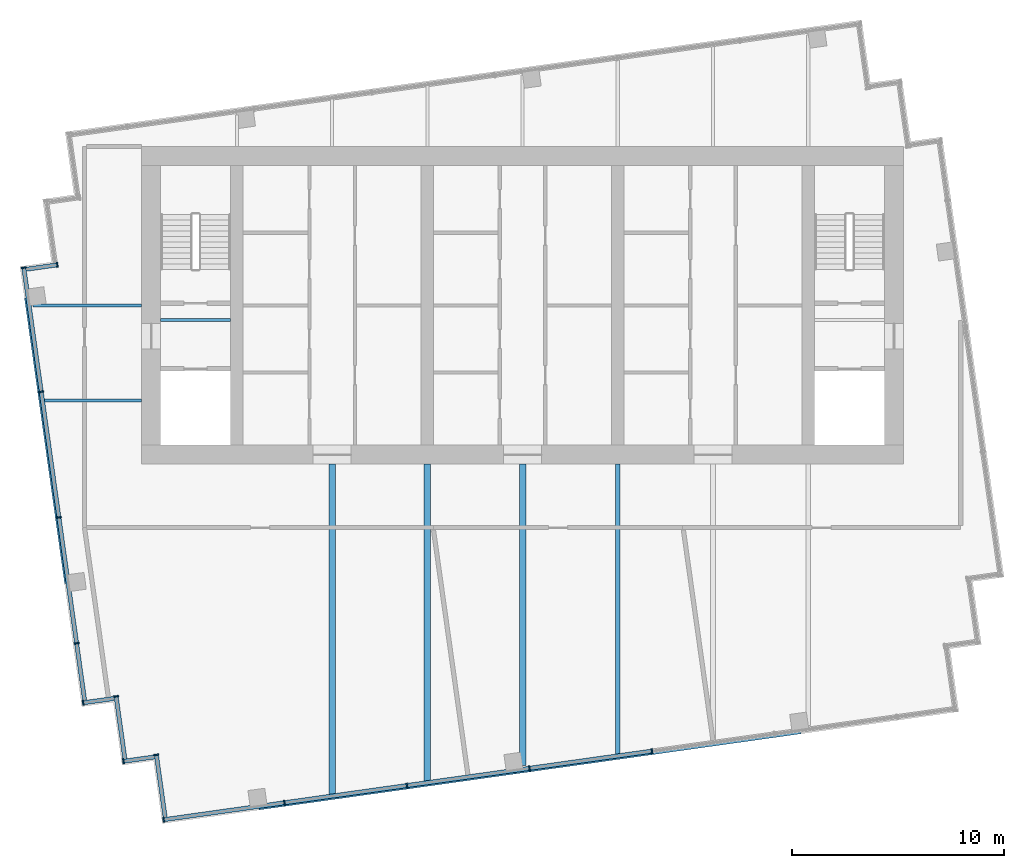
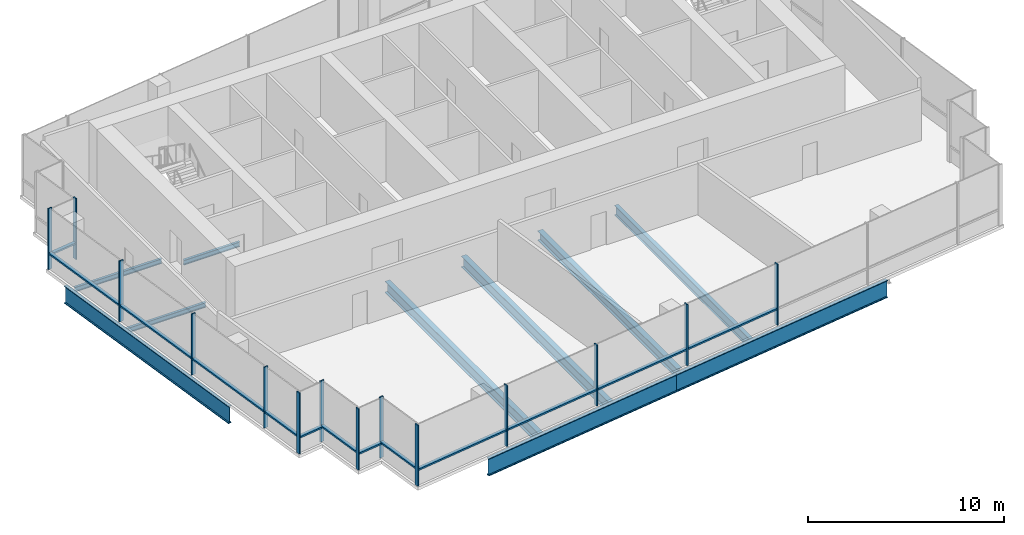
# One storey, part 2 of 10: 27 members, 10 beams, 7 elements without a shape of their own.
"""IFC4 building model written with IfcOpenShell, lengths in metres."""

from ifc_helpers import new_model, si_unit, direction, frame, origin, origin_2d, place, context, subcontext, project, spatial, rectangle, i_section, extrude, material, layer, layer_set, material_profile, profile_set, type_object, element, aggregate, save


model = new_model("IFC4")

# Units and contexts
model_context = context("Model", 3, precision=1e-05, world=origin(), true_north=direction((0.0, 1.0)))
body_context = subcontext(model_context, "Body", "Model", "MODEL_VIEW")
ifc_project = project(units=[si_unit("LENGTHUNIT", "METRE"), si_unit("AREAUNIT", "SQUARE_METRE"), si_unit("VOLUMEUNIT", "CUBIC_METRE"), si_unit("PLANEANGLEUNIT", "RADIAN"), si_unit("MASSUNIT", "GRAM", prefix="KILO")], contexts=[model_context])

# Site, building, storey
site_placement = place(None, origin())
site = spatial("IfcSite", under=ifc_project, at=site_placement, CompositionType="ELEMENT")
building_placement = place(site_placement, origin())
building = spatial("IfcBuilding", under=site, at=building_placement, Name="Rattan Terrace Tower", CompositionType="ELEMENT")
storey_placement = place(building_placement, frame((0.0, 0.0, 308.300048828125)))
storey = spatial("IfcBuildingStorey", under=building, at=storey_placement, Name="C05", CompositionType="ELEMENT", Elevation=308.300048828125)

# Beams
ifc_material_1 = material(Name="Steel S460", Category="steel")
ifc_material_profile_1 = material_profile(ifc_material_1, i_section(OverallWidth=0.179931640625, OverallDepth=1.10009765625, WebThickness=0.01611328125, FlangeThickness=0.050048828125, at=origin_2d()), Name="PG 1100x180-16-50")
ifc_profile_set_1 = profile_set([ifc_material_profile_1], Name="Steel S460")
beam_type_1 = type_object("IfcBeamType", Name="Frame edge girder PG 1100x180-16-50", PredefinedType="SPANDREL", material=ifc_profile_set_1)
beam_1_placement = place(storey_placement, frame((-12.45703125, -23.7509765625, -0.75), z_axis=(0.990268332234, 0.139171226104, 0.0), x_axis=(-0.139171226104, 0.990268332234, 0.0)))
element("IfcBeam", 1, at=beam_1_placement, inside=storey, type_object=beam_type_1, Name="gdr-C05-001", PredefinedType="SPANDREL", context=body_context, shape_type="SweptSolid", body=[
    extrude(i_section(OverallWidth=0.179931640625, OverallDepth=1.10009765625, WebThickness=0.01611328125, FlangeThickness=0.050048828125, at=origin_2d()), origin(), (0.0, 0.0, 1.0), 12.21484375),
])
beam_2_placement = place(storey_placement, frame((-0.361083984375, -22.051025390625, -0.75), z_axis=(0.990271390556, 0.139149462974, 0.0), x_axis=(-0.139149462974, 0.990271390556, 0.0)))
element("IfcBeam", 2, at=beam_2_placement, inside=storey, type_object=beam_type_1, Name="gdr-C05-002", PredefinedType="SPANDREL", context=body_context, shape_type="SweptSolid", body=[
    extrude(i_section(OverallWidth=0.179931640625, OverallDepth=1.10009765625, WebThickness=0.01611328125, FlangeThickness=0.050048828125, at=origin_2d()), origin(), (0.0, 0.0, 1.0), 13.632568359375),
])
beam_3_placement = place(storey_placement, frame((-23.448974609375, 0.361083984375, -0.75), z_axis=(0.139219709116, -0.990261517274, 0.0), x_axis=(0.990261517274, 0.139219709116, 0.0)))
element("IfcBeam", 3, at=beam_3_placement, inside=storey, type_object=beam_type_1, Name="gdr-C05-003", PredefinedType="SPANDREL", context=body_context, shape_type="SweptSolid", body=[
    extrude(i_section(OverallWidth=0.179931640625, OverallDepth=1.10009765625, WebThickness=0.01611328125, FlangeThickness=0.050048828125, at=origin_2d()), origin(), (0.0, 0.0, 1.0), 13.6328125),
])
ifc_material_2 = material(Name="Steel S355", Category="steel")
ifc_material_profile_2 = material_profile(ifc_material_2, i_section(OverallWidth=0.300048828125, OverallDepth=0.60009765625, WebThickness=0.015380859375, FlangeThickness=0.030029296875, FilletRadius=0.027099609375, at=origin_2d()), Name="HE 600 B")
ifc_profile_set_2 = profile_set([ifc_material_profile_2], Name="Steel S355")
beam_type_2 = type_object("IfcBeamType", Name="Frame floor beam HE 600 B", PredefinedType="JOIST", material=ifc_profile_set_2)
beam_4_placement = place(storey_placement, frame((0.0, -21.743896484375, -0.5), z_axis=(0.0, 1.0, 0.0), x_axis=(-1.0, 0.0, 0.0)))
element("IfcBeam", 4, at=beam_4_placement, inside=storey, type_object=beam_type_2, Name="bm-C05-005", PredefinedType="JOIST", context=body_context, shape_type="SweptSolid", body=[
    extrude(i_section(OverallWidth=0.300048828125, OverallDepth=0.60009765625, WebThickness=0.015380859375, FlangeThickness=0.030029296875, FilletRadius=0.027099609375, at=origin_2d()), origin(), (0.0, 0.0, 1.0), 14.243896484375),
])
ifc_material_3 = material(Name="Steel S355", Category="steel")
ifc_material_profile_3 = material_profile(ifc_material_3, i_section(OverallWidth=0.300048828125, OverallDepth=0.699951171875, WebThickness=0.01708984375, FlangeThickness=0.031982421875, FilletRadius=0.027099609375, at=origin_2d()), Name="HE 700 B")
ifc_profile_set_3 = profile_set([ifc_material_profile_3], Name="Steel S355")
beam_type_3 = type_object("IfcBeamType", Name="Frame floor beam HE 700 B", PredefinedType="JOIST", material=ifc_profile_set_3)
beam_5_placement = place(storey_placement, frame((-9.0, -23.174072265625, -0.550048828125), z_axis=(0.0, 1.0, 0.0), x_axis=(-1.0, 0.0, 0.0)))
element("IfcBeam", 5, at=beam_5_placement, inside=storey, type_object=beam_type_3, Name="bm-C05-003", PredefinedType="JOIST", context=body_context, shape_type="SweptSolid", body=[
    extrude(i_section(OverallWidth=0.300048828125, OverallDepth=0.699951171875, WebThickness=0.01708984375, FlangeThickness=0.031982421875, FilletRadius=0.027099609375, at=origin_2d()), origin(), (0.0, 0.0, 1.0), 15.674072265625),
])
beam_6_placement = place(storey_placement, frame((-4.5, -22.5419921875, -0.550048828125), z_axis=(0.0, 1.0, 0.0), x_axis=(-1.0, 0.0, 0.0)))
element("IfcBeam", 6, at=beam_6_placement, inside=storey, type_object=beam_type_3, Name="bm-C05-004", PredefinedType="JOIST", context=body_context, shape_type="SweptSolid", body=[
    extrude(i_section(OverallWidth=0.300048828125, OverallDepth=0.699951171875, WebThickness=0.01708984375, FlangeThickness=0.031982421875, FilletRadius=0.027099609375, at=origin_2d()), origin(), (0.0, 0.0, 1.0), 15.0419921875),
])
ifc_material_4 = material(Name="Steel S355", Category="steel")
ifc_material_profile_4 = material_profile(ifc_material_4, i_section(OverallWidth=0.14990234375, OverallDepth=0.300048828125, WebThickness=0.007080078125, FlangeThickness=0.0107421875, FilletRadius=0.014892578125, at=origin_2d()), Name="IPE 300")
ifc_profile_set_4 = profile_set([ifc_material_profile_4], Name="Steel S355")
beam_type_4 = type_object("IfcBeamType", Name="Frame floor beam IPE 300", PredefinedType="JOIST", material=ifc_profile_set_4)
beam_7_placement = place(storey_placement, frame((-17.10009765625, -0.695068359375, -0.35009765625), z_axis=(1.0, 0.0, 0.0), x_axis=(0.0, 1.0, 0.0)))
element("IfcBeam", 7, at=beam_7_placement, inside=storey, type_object=beam_type_4, Name="bm-C05-001", PredefinedType="JOIST", context=body_context, shape_type="SweptSolid", body=[
    extrude(i_section(OverallWidth=0.14990234375, OverallDepth=0.300048828125, WebThickness=0.007080078125, FlangeThickness=0.0107421875, FilletRadius=0.014892578125, at=origin_2d()), origin(), (0.0, 0.0, 1.0), 3.300048828125),
])
beam_8_placement = place(storey_placement, frame((-22.675048828125, -4.5, -0.35009765625), z_axis=(1.0, 0.0, 0.0), x_axis=(0.0, 1.0, 0.0)))
element("IfcBeam", 8, at=beam_8_placement, inside=storey, type_object=beam_type_4, Name="bm-C05-009", PredefinedType="JOIST", context=body_context, shape_type="SweptSolid", body=[
    extrude(i_section(OverallWidth=0.14990234375, OverallDepth=0.300048828125, WebThickness=0.007080078125, FlangeThickness=0.0107421875, FilletRadius=0.014892578125, at=origin_2d()), origin(), (0.0, 0.0, 1.0), 4.675048828125),
])
beam_9_placement = place(storey_placement, frame((-23.14111328125, 0.0, -0.35009765625), z_axis=(1.0, 0.0, 0.0), x_axis=(0.0, 1.0, 0.0)))
element("IfcBeam", 9, at=beam_9_placement, inside=storey, type_object=beam_type_4, Name="bm-C05-010", PredefinedType="JOIST", context=body_context, shape_type="SweptSolid", body=[
    extrude(i_section(OverallWidth=0.14990234375, OverallDepth=0.300048828125, WebThickness=0.007080078125, FlangeThickness=0.0107421875, FilletRadius=0.014892578125, at=origin_2d()), origin(), (0.0, 0.0, 1.0), 5.14111328125),
])
ifc_material_5 = material(Name="Steel S355", Category="steel")
ifc_material_profile_5 = material_profile(ifc_material_5, i_section(OverallWidth=0.22412109375, OverallDepth=0.610107421875, WebThickness=0.014892578125, FlangeThickness=0.02392578125, FilletRadius=0.02392578125, at=origin_2d()), Name="IPE O 600")
ifc_profile_set_5 = profile_set([ifc_material_profile_5], Name="Steel S355")
beam_type_5 = type_object("IfcBeamType", Name="Frame floor beam IPE O 600", PredefinedType="JOIST", material=ifc_profile_set_5)
beam_10_placement = place(storey_placement, frame((4.5, -21.277099609375, -0.505126953125), z_axis=(0.0, 1.0, 0.0), x_axis=(-1.0, 0.0, 0.0)))
element("IfcBeam", 10, at=beam_10_placement, inside=storey, type_object=beam_type_5, Name="bm-C05-006", PredefinedType="JOIST", context=body_context, shape_type="SweptSolid", body=[
    extrude(i_section(OverallWidth=0.22412109375, OverallDepth=0.610107421875, WebThickness=0.014892578125, FlangeThickness=0.02392578125, FilletRadius=0.02392578125, at=origin_2d()), origin(), (0.0, 0.0, 1.0), 13.777099609375),
])

# Curtain wall, members
ifc_material_6 = material(Name="Aluminium and laminated glass", Category="aluminium")
ifc_layer = layer(ifc_material_6, 0.239990234375)
ifc_layer_set = layer_set([ifc_layer], Name="Lantern Stick Curtain Wall")
curtain_wall_type = type_object("IfcCurtainWallType", Name="Lantern Stick Curtain Wall", PredefinedType="NOTDEFINED", material=ifc_layer_set)
curtain_wall_1_placement = place(storey_placement, origin())
curtain_wall_1 = element("IfcCurtainWall", 11, at=curtain_wall_1_placement, inside=storey, type_object=curtain_wall_type, Name="Lantern curtain wall C05-1", PredefinedType="NOTDEFINED")
ifc_material_7 = material(Name="Aluminium", Category="aluminium")
ifc_material_profile_6 = material_profile(ifc_material_7, rectangle(XDim=0.070068359375, YDim=0.239990234375, at=origin_2d()), Name="Aluminium 70x240")
ifc_profile_set_6 = profile_set([ifc_material_profile_6], Name="Aluminium")
member_type_1 = type_object("IfcMemberType", Name="Lantern CW Mullion 70x240", PredefinedType="MULLION", material=ifc_profile_set_6)
member_1_placement = place(storey_placement, frame((-23.56689453125, 1.776611328125, 0.0), z_axis=(0.0, 0.0, 1.0), x_axis=(0.139187707455, -0.990266015823, 0.0)))
member_1 = element("IfcMember", 12, at=member_1_placement, type_object=member_type_1, Name="Mullion cwl-C05-001.1", PredefinedType="MULLION", context=body_context, shape_type="SweptSolid", body=[
    extrude(rectangle(XDim=0.070068359375, YDim=0.239990234375, at=origin_2d()), origin(), (0.0, 0.0, 1.0), 3.800048828125),
])
member_2_placement = place(storey_placement, frame((-22.74365234375, -4.080810546875, 0.0), z_axis=(0.0, 0.0, 1.0), x_axis=(0.139187707455, -0.990266015823, 0.0)))
member_2 = element("IfcMember", 13, at=member_2_placement, type_object=member_type_1, Name="Mullion cwl-C05-001.2", PredefinedType="MULLION", context=body_context, shape_type="SweptSolid", body=[
    extrude(rectangle(XDim=0.070068359375, YDim=0.239990234375, at=origin_2d()), origin(), (0.0, 0.0, 1.0), 3.800048828125),
])
member_3_placement = place(storey_placement, frame((-21.908447265625, -10.0224609375, 0.0), z_axis=(0.0, 0.0, 1.0), x_axis=(0.139187707455, -0.990266015823, 0.0)))
member_3 = element("IfcMember", 14, at=member_3_placement, type_object=member_type_1, Name="Mullion cwl-C05-001.3", PredefinedType="MULLION", context=body_context, shape_type="SweptSolid", body=[
    extrude(rectangle(XDim=0.070068359375, YDim=0.239990234375, at=origin_2d()), origin(), (0.0, 0.0, 1.0), 3.800048828125),
])
member_4_placement = place(storey_placement, frame((-21.0732421875, -15.964111328125, 0.0), z_axis=(0.0, 0.0, 1.0), x_axis=(0.139187707455, -0.990266015823, 0.0)))
member_4 = element("IfcMember", 15, at=member_4_placement, type_object=member_type_1, Name="Mullion cwl-C05-001.4", PredefinedType="MULLION", context=body_context, shape_type="SweptSolid", body=[
    extrude(rectangle(XDim=0.070068359375, YDim=0.239990234375, at=origin_2d()), origin(), (0.0, 0.0, 1.0), 3.800048828125),
])

# Curtain wall, member
curtain_wall_2_placement = place(storey_placement, origin())
curtain_wall_2 = element("IfcCurtainWall", 16, at=curtain_wall_2_placement, inside=storey, type_object=curtain_wall_type, Name="Lantern curtain wall C05-2", PredefinedType="NOTDEFINED")
member_5_placement = place(storey_placement, frame((-20.763427734375, -18.77880859375, 0.0), z_axis=(0.0, 0.0, 1.0), x_axis=(0.990227803001, 0.139459306479, 0.0)))
member_5 = element("IfcMember", 17, at=member_5_placement, type_object=member_type_1, Name="Mullion cwl-C05-002.1", PredefinedType="MULLION", context=body_context, shape_type="SweptSolid", body=[
    extrude(rectangle(XDim=0.070068359375, YDim=0.239990234375, at=origin_2d()), origin(), (0.0, 0.0, 1.0), 3.800048828125),
])

curtain_wall_3_placement = place(storey_placement, origin())
curtain_wall_3 = element("IfcCurtainWall", 18, at=curtain_wall_3_placement, inside=storey, type_object=curtain_wall_type, Name="Lantern curtain wall C05-3", PredefinedType="NOTDEFINED")
member_6_placement = place(storey_placement, frame((-19.207275390625, -18.473876953125, 0.0), z_axis=(0.0, 0.0, 1.0), x_axis=(0.139555918709, -0.990214191755, 0.0)))
member_6 = element("IfcMember", 19, at=member_6_placement, type_object=member_type_1, Name="Mullion cwl-C05-003.1", PredefinedType="MULLION", context=body_context, shape_type="SweptSolid", body=[
    extrude(rectangle(XDim=0.070068359375, YDim=0.239990234375, at=origin_2d()), origin(), (0.0, 0.0, 1.0), 3.800048828125),
])

curtain_wall_4_placement = place(storey_placement, origin())
curtain_wall_4 = element("IfcCurtainWall", 20, at=curtain_wall_4_placement, inside=storey, type_object=curtain_wall_type, Name="Lantern curtain wall C05-4", PredefinedType="NOTDEFINED")
member_7_placement = place(storey_placement, frame((-18.860595703125, -21.54296875, 0.0), z_axis=(0.0, 0.0, 1.0), x_axis=(0.990319742912, 0.13880492354, 0.0)))
member_7 = element("IfcMember", 21, at=member_7_placement, type_object=member_type_1, Name="Mullion cwl-C05-004.1", PredefinedType="MULLION", context=body_context, shape_type="SweptSolid", body=[
    extrude(rectangle(XDim=0.070068359375, YDim=0.239990234375, at=origin_2d()), origin(), (0.0, 0.0, 1.0), 3.800048828125),
])

curtain_wall_5_placement = place(storey_placement, origin())
curtain_wall_5 = element("IfcCurtainWall", 22, at=curtain_wall_5_placement, inside=storey, type_object=curtain_wall_type, Name="Lantern curtain wall C05-5", PredefinedType="NOTDEFINED")
member_8_placement = place(storey_placement, frame((-17.30419921875, -21.239013671875, 0.0), z_axis=(0.0, 0.0, 1.0), x_axis=(0.139413247769, -0.990234288614, 0.0)))
member_8 = element("IfcMember", 23, at=member_8_placement, type_object=member_type_1, Name="Mullion cwl-C05-005.1", PredefinedType="MULLION", context=body_context, shape_type="SweptSolid", body=[
    extrude(rectangle(XDim=0.070068359375, YDim=0.239990234375, at=origin_2d()), origin(), (0.0, 0.0, 1.0), 3.800048828125),
])

# Curtain wall, members
curtain_wall_6_placement = place(storey_placement, origin())
curtain_wall_6 = element("IfcCurtainWall", 24, at=curtain_wall_6_placement, inside=storey, type_object=curtain_wall_type, Name="Lantern curtain wall C05-6", PredefinedType="NOTDEFINED")
member_9_placement = place(storey_placement, frame((-16.95849609375, -24.3037109375, 0.0), z_axis=(0.0, 0.0, 1.0), x_axis=(0.990266952226, 0.13918104515, 0.0)))
member_9 = element("IfcMember", 25, at=member_9_placement, type_object=member_type_1, Name="Mullion cwl-C05-006.1", PredefinedType="MULLION", context=body_context, shape_type="SweptSolid", body=[
    extrude(rectangle(XDim=0.070068359375, YDim=0.239990234375, at=origin_2d()), origin(), (0.0, 0.0, 1.0), 3.800048828125),
])
member_10_placement = place(storey_placement, frame((-11.253662109375, -23.501953125, 0.0), z_axis=(0.0, 0.0, 1.0), x_axis=(0.990266952226, 0.13918104515, 0.0)))
member_10 = element("IfcMember", 26, at=member_10_placement, type_object=member_type_1, Name="Mullion cwl-C05-006.2", PredefinedType="MULLION", context=body_context, shape_type="SweptSolid", body=[
    extrude(rectangle(XDim=0.070068359375, YDim=0.239990234375, at=origin_2d()), origin(), (0.0, 0.0, 1.0), 3.800048828125),
])
member_11_placement = place(storey_placement, frame((-5.464599609375, -22.6884765625, 0.0), z_axis=(0.0, 0.0, 1.0), x_axis=(0.990266952226, 0.13918104515, 0.0)))
member_11 = element("IfcMember", 27, at=member_11_placement, type_object=member_type_1, Name="Mullion cwl-C05-006.3", PredefinedType="MULLION", context=body_context, shape_type="SweptSolid", body=[
    extrude(rectangle(XDim=0.070068359375, YDim=0.239990234375, at=origin_2d()), origin(), (0.0, 0.0, 1.0), 3.800048828125),
])
member_12_placement = place(storey_placement, frame((0.32470703125, -21.874755859375, 0.0), z_axis=(0.0, 0.0, 1.0), x_axis=(0.990266952226, 0.13918104515, 0.0)))
member_12 = element("IfcMember", 28, at=member_12_placement, type_object=member_type_1, Name="Mullion cwl-C05-006.4", PredefinedType="MULLION", context=body_context, shape_type="SweptSolid", body=[
    extrude(rectangle(XDim=0.070068359375, YDim=0.239990234375, at=origin_2d()), origin(), (0.0, 0.0, 1.0), 3.800048828125),
])
member_13_placement = place(storey_placement, frame((6.11376953125, -21.06103515625, 0.0), z_axis=(0.0, 0.0, 1.0), x_axis=(0.990266952226, 0.13918104515, 0.0)))
member_13 = element("IfcMember", 29, at=member_13_placement, type_object=member_type_1, Name="Mullion cwl-C05-006.5", PredefinedType="MULLION", context=body_context, shape_type="SweptSolid", body=[
    extrude(rectangle(XDim=0.070068359375, YDim=0.239990234375, at=origin_2d()), origin(), (0.0, 0.0, 1.0), 3.800048828125),
])

# Curtain wall, member
curtain_wall_7_placement = place(storey_placement, origin())
curtain_wall_7 = element("IfcCurtainWall", 30, at=curtain_wall_7_placement, inside=storey, type_object=curtain_wall_type, Name="Lantern curtain wall C05-20", PredefinedType="NOTDEFINED")
member_14_placement = place(storey_placement, frame((-21.98486328125, 1.9130859375, 0.0), z_axis=(0.0, 0.0, 1.0), x_axis=(-0.99025370695, -0.139275252184, 0.0)))
member_14 = element("IfcMember", 31, at=member_14_placement, type_object=member_type_1, Name="Mullion cwl-C05-020.1", PredefinedType="MULLION", context=body_context, shape_type="SweptSolid", body=[
    extrude(rectangle(XDim=0.070068359375, YDim=0.239990234375, at=origin_2d()), origin(), (0.0, 0.0, 1.0), 3.800048828125),
])

# Member
ifc_material_8 = material(Name="Aluminium", Category="aluminium")
ifc_material_profile_7 = material_profile(ifc_material_8, rectangle(XDim=0.199951171875, YDim=0.10009765625, at=origin_2d()), Name="Aluminium 200x100")
ifc_profile_set_7 = profile_set([ifc_material_profile_7], Name="Aluminium")
member_type_2 = type_object("IfcMemberType", Name="Lantern CW Transom 200x100", PredefinedType="USERDEFINED", material=ifc_profile_set_7)
member_15_placement = place(storey_placement, frame((-23.56201171875, 1.741943359375, 1.0), z_axis=(0.139216432116, -0.990261977978, 0.0), x_axis=(0.990261977978, 0.139216432116, 0.0)))
member_15 = element("IfcMember", 32, at=member_15_placement, type_object=member_type_2, Name="Transom cwl-C05-001.1", ObjectType="TRANSOM", PredefinedType="USERDEFINED", context=body_context, shape_type="SweptSolid", body=[
    extrude(rectangle(XDim=0.199951171875, YDim=0.10009765625, at=origin_2d()), origin(), (0.0, 0.0, 1.0), 5.844970703125),
])

member_16_placement = place(storey_placement, frame((-22.73876953125, -4.115478515625, 1.0), z_axis=(0.139196165956, -0.990264826894, 0.0), x_axis=(0.990264826894, 0.139196165956, 0.0)))
member_16 = element("IfcMember", 33, at=member_16_placement, type_object=member_type_2, Name="Transom cwl-C05-001.2", ObjectType="TRANSOM", PredefinedType="USERDEFINED", context=body_context, shape_type="SweptSolid", body=[
    extrude(rectangle(XDim=0.199951171875, YDim=0.10009765625, at=origin_2d()), origin(), (0.0, 0.0, 1.0), 5.929931640625),
])

member_17_placement = place(storey_placement, frame((-21.903564453125, -10.05712890625, 1.0), z_axis=(0.139196165956, -0.990264826894, 0.0), x_axis=(0.990264826894, 0.139196165956, 0.0)))
member_17 = element("IfcMember", 34, at=member_17_placement, type_object=member_type_2, Name="Transom cwl-C05-001.3", ObjectType="TRANSOM", PredefinedType="USERDEFINED", context=body_context, shape_type="SweptSolid", body=[
    extrude(rectangle(XDim=0.199951171875, YDim=0.10009765625, at=origin_2d()), origin(), (0.0, 0.0, 1.0), 5.929931640625),
])

member_18_placement = place(storey_placement, frame((-21.068359375, -15.998779296875, 1.0), z_axis=(0.139159755343, -0.990269944254, 0.0), x_axis=(0.990269944254, 0.139159755343, 0.0)))
member_18 = element("IfcMember", 35, at=member_18_placement, type_object=member_type_2, Name="Transom cwl-C05-001.4", ObjectType="TRANSOM", PredefinedType="USERDEFINED", context=body_context, shape_type="SweptSolid", body=[
    extrude(rectangle(XDim=0.199951171875, YDim=0.10009765625, at=origin_2d()), origin(), (0.0, 0.0, 1.0), 2.675537109375),
])

aggregate(curtain_wall_1, [member_1, member_2, member_3, member_4, member_15, member_16, member_17, member_18])

member_19_placement = place(storey_placement, frame((-20.728759765625, -18.77392578125, 1.0), z_axis=(0.990227834808, 0.139459080636, 0.0), x_axis=(-0.139459080636, 0.990227834808, 0.0)))
member_19 = element("IfcMember", 36, at=member_19_placement, type_object=member_type_2, Name="Transom cwl-C05-002.1", ObjectType="TRANSOM", PredefinedType="USERDEFINED", context=body_context, shape_type="SweptSolid", body=[
    extrude(rectangle(XDim=0.199951171875, YDim=0.10009765625, at=origin_2d()), origin(), (0.0, 0.0, 1.0), 1.428466796875),
])

aggregate(curtain_wall_2, [member_5, member_19])

member_20_placement = place(storey_placement, frame((-19.202392578125, -18.508544921875, 1.0), z_axis=(0.139532909028, -0.990217434354, 0.0), x_axis=(0.990217434354, 0.139532909028, 0.0)))
member_20 = element("IfcMember", 37, at=member_20_placement, type_object=member_type_2, Name="Transom cwl-C05-003.1", ObjectType="TRANSOM", PredefinedType="USERDEFINED", context=body_context, shape_type="SweptSolid", body=[
    extrude(rectangle(XDim=0.199951171875, YDim=0.10009765625, at=origin_2d()), origin(), (0.0, 0.0, 1.0), 2.9326171875),
])

aggregate(curtain_wall_3, [member_6, member_20])

member_21_placement = place(storey_placement, frame((-18.825927734375, -21.5380859375, 1.0), z_axis=(0.990301815941, 0.13893276555, 0.0), x_axis=(-0.13893276555, 0.990301815941, 0.0)))
member_21 = element("IfcMember", 38, at=member_21_placement, type_object=member_type_2, Name="Transom cwl-C05-004.1", ObjectType="TRANSOM", PredefinedType="USERDEFINED", context=body_context, shape_type="SweptSolid", body=[
    extrude(rectangle(XDim=0.199951171875, YDim=0.10009765625, at=origin_2d()), origin(), (0.0, 0.0, 1.0), 1.4287109375),
])

aggregate(curtain_wall_4, [member_7, member_21])

member_22_placement = place(storey_placement, frame((-17.29931640625, -21.2734375, 1.0), z_axis=(0.139401737802, -0.990235909013, 0.0), x_axis=(0.990235909013, 0.139401737802, 0.0)))
member_22 = element("IfcMember", 39, at=member_22_placement, type_object=member_type_2, Name="Transom cwl-C05-005.1", ObjectType="TRANSOM", PredefinedType="USERDEFINED", context=body_context, shape_type="SweptSolid", body=[
    extrude(rectangle(XDim=0.199951171875, YDim=0.10009765625, at=origin_2d()), origin(), (0.0, 0.0, 1.0), 2.92822265625),
])

aggregate(curtain_wall_5, [member_8, member_22])

member_23_placement = place(storey_placement, frame((-16.923828125, -24.299072265625, 1.0), z_axis=(0.990262771001, 0.139210791141, 0.0), x_axis=(-0.139210791141, 0.990262771001, 0.0)))
member_23 = element("IfcMember", 40, at=member_23_placement, type_object=member_type_2, Name="Transom cwl-C05-006.1", ObjectType="TRANSOM", PredefinedType="USERDEFINED", context=body_context, shape_type="SweptSolid", body=[
    extrude(rectangle(XDim=0.199951171875, YDim=0.10009765625, at=origin_2d()), origin(), (0.0, 0.0, 1.0), 5.69091796875),
])

member_24_placement = place(storey_placement, frame((-11.218994140625, -23.4970703125, 1.0), z_axis=(0.990265684123, 0.139190067348, 0.0), x_axis=(-0.139190067348, 0.990265684123, 0.0)))
member_24 = element("IfcMember", 41, at=member_24_placement, type_object=member_type_2, Name="Transom cwl-C05-006.2", ObjectType="TRANSOM", PredefinedType="USERDEFINED", context=body_context, shape_type="SweptSolid", body=[
    extrude(rectangle(XDim=0.199951171875, YDim=0.10009765625, at=origin_2d()), origin(), (0.0, 0.0, 1.0), 5.77587890625),
])

member_25_placement = place(storey_placement, frame((-5.429931640625, -22.68359375, 1.0), z_axis=(0.990266502976, 0.139184241508, 0.0), x_axis=(-0.139184241508, 0.990266502976, 0.0)))
member_25 = element("IfcMember", 42, at=member_25_placement, type_object=member_type_2, Name="Transom cwl-C05-006.3", ObjectType="TRANSOM", PredefinedType="USERDEFINED", context=body_context, shape_type="SweptSolid", body=[
    extrude(rectangle(XDim=0.199951171875, YDim=0.10009765625, at=origin_2d()), origin(), (0.0, 0.0, 1.0), 5.776123046875),
])

member_26_placement = place(storey_placement, frame((0.359375, -21.869873046875, 1.0), z_axis=(0.990265684123, 0.139190067348, 0.0), x_axis=(-0.139190067348, 0.990265684123, 0.0)))
member_26 = element("IfcMember", 43, at=member_26_placement, type_object=member_type_2, Name="Transom cwl-C05-006.4", ObjectType="TRANSOM", PredefinedType="USERDEFINED", context=body_context, shape_type="SweptSolid", body=[
    extrude(rectangle(XDim=0.199951171875, YDim=0.10009765625, at=origin_2d()), origin(), (0.0, 0.0, 1.0), 5.77587890625),
])

aggregate(curtain_wall_6, [member_9, member_10, member_11, member_12, member_13, member_23, member_24, member_25, member_26])

member_27_placement = place(storey_placement, frame((-22.01953125, 1.908203125, 1.0), z_axis=(-0.990257681856, -0.139246987488, 0.0), x_axis=(0.139246987488, -0.990257681856, 0.0)))
member_27 = element("IfcMember", 44, at=member_27_placement, type_object=member_type_2, Name="Transom cwl-C05-020.1", ObjectType="TRANSOM", PredefinedType="USERDEFINED", context=body_context, shape_type="SweptSolid", body=[
    extrude(rectangle(XDim=0.199951171875, YDim=0.10009765625, at=origin_2d()), origin(), (0.0, 0.0, 1.0), 1.4306640625),
])

aggregate(curtain_wall_7, [member_14, member_27])

save(model, "model.ifc")
